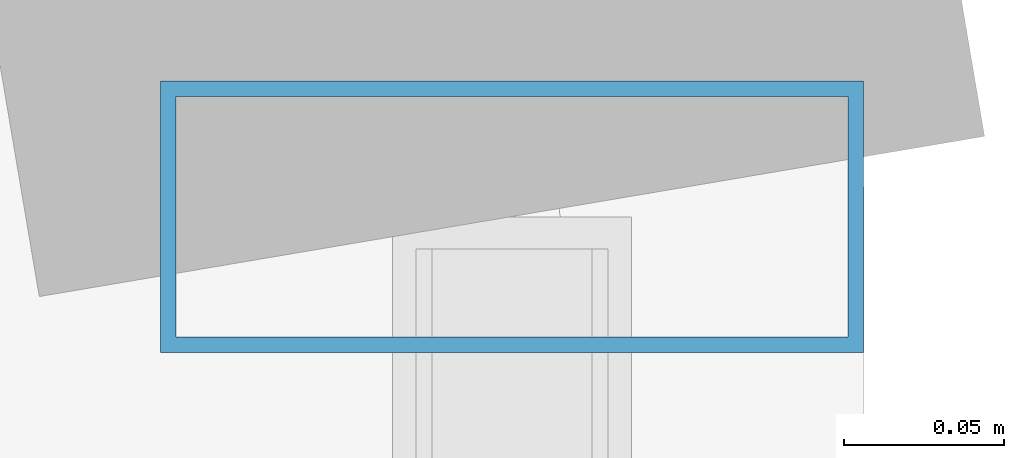
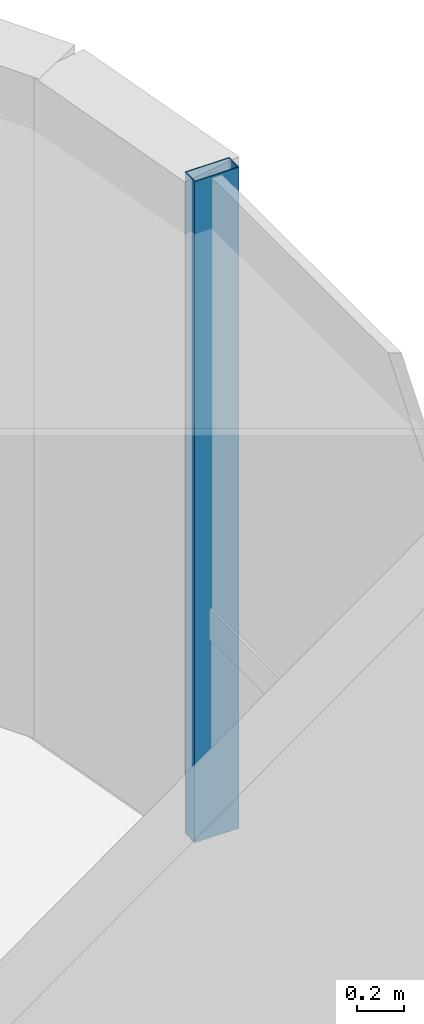
# One storey, part 35 of 50: 1 member, 1 element without a shape of its own.
"""IFC4 building model written with IfcOpenShell, lengths in metres."""

from ifc_helpers import new_model, si_unit, direction, frame, origin, origin_2d, place, context, subcontext, project, spatial, hollow_rectangle, extrude, source, transform, mapped, material, material_profile, profile_set, type_object, element, aggregate, save


model = new_model("IFC4")

# Units and contexts
model_context = context("Model", 3, precision=1e-05, world=origin(), true_north=direction((0.0, 1.0)))
body_context = subcontext(model_context, "Body", "Model", "MODEL_VIEW")
ifc_project = project(units=[si_unit("LENGTHUNIT", "METRE"), si_unit("AREAUNIT", "SQUARE_METRE"), si_unit("VOLUMEUNIT", "CUBIC_METRE"), si_unit("PLANEANGLEUNIT", "RADIAN"), si_unit("MASSUNIT", "GRAM", prefix="KILO")], contexts=[model_context])

# Site, building, storey
site_placement = place(None, origin())
site = spatial("IfcSite", under=ifc_project, at=site_placement, CompositionType="ELEMENT")
building_placement = place(site_placement, origin())
building = spatial("IfcBuilding", under=site, at=building_placement, Name="Valdorenza Pilgrim Sanctuary Tower", CompositionType="ELEMENT")
storey_placement = place(building_placement, frame((0.0, 0.0, 26.0)))
storey = spatial("IfcBuildingStorey", under=building, at=storey_placement, Name="L05", CompositionType="ELEMENT", Elevation=26.0)

# Curtain wall, member
ifc_material_1 = material(Name="Curtain-wall IGU glazing", Category="glass")
curtain_wall_type = type_object("IfcCurtainWallType", Name="CW-SYS-03", PredefinedType="NOTDEFINED", material=ifc_material_1)
curtain_wall_placement = place(storey_placement, origin())
curtain_wall = element("IfcCurtainWall", 1, at=curtain_wall_placement, inside=storey, type_object=curtain_wall_type, Name="L05 Curtain Wall CW-L05-1-21", PredefinedType="NOTDEFINED")
ifc_material_2 = material(Name="Anodised aluminium AW-6060", Category="aluminium")
ifc_material_profile = material_profile(ifc_material_2, hollow_rectangle(XDim=0.0849609375, YDim=0.219970703125, WallThickness=0.0048828125, at=origin_2d()), Name="ALU-M 220x85x5")
ifc_profile_set = profile_set([ifc_material_profile], Name="Anodised aluminium AW-6060")
member_type = type_object("IfcMemberType", Name="CW-MUL-03", PredefinedType="MULLION", material=ifc_profile_set)
shared_shape = source(origin(), body_context, "Body", "SweptSolid", [
    extrude(hollow_rectangle(XDim=0.0849609375, YDim=0.219970703125, WallThickness=0.0048828125, at=origin_2d()), origin(), (0.0, 0.0, 1.0), 3.4599609375),
])
member_placement = place(storey_placement, frame((31.389892578125, 13.945068359375, 0.0), z_axis=(0.0, 0.0, 1.0), x_axis=(0.0, -1.0, 0.0)))
member = element("IfcMember", 2, at=member_placement, type_object=member_type, Name="CW-L05-1-21 Mullion 1", PredefinedType="MULLION", context=body_context, shape_type="MappedRepresentation", body=[
    mapped(shared_shape, transform((0.0, 0.0, 0.0), x_axis=(1.0, 0.0, 0.0), y_axis=(0.0, 1.0, 0.0), z_axis=(0.0, 0.0, 1.0), scale=1.0)),
])
aggregate(curtain_wall, [member])

save(model, "model.ifc")
